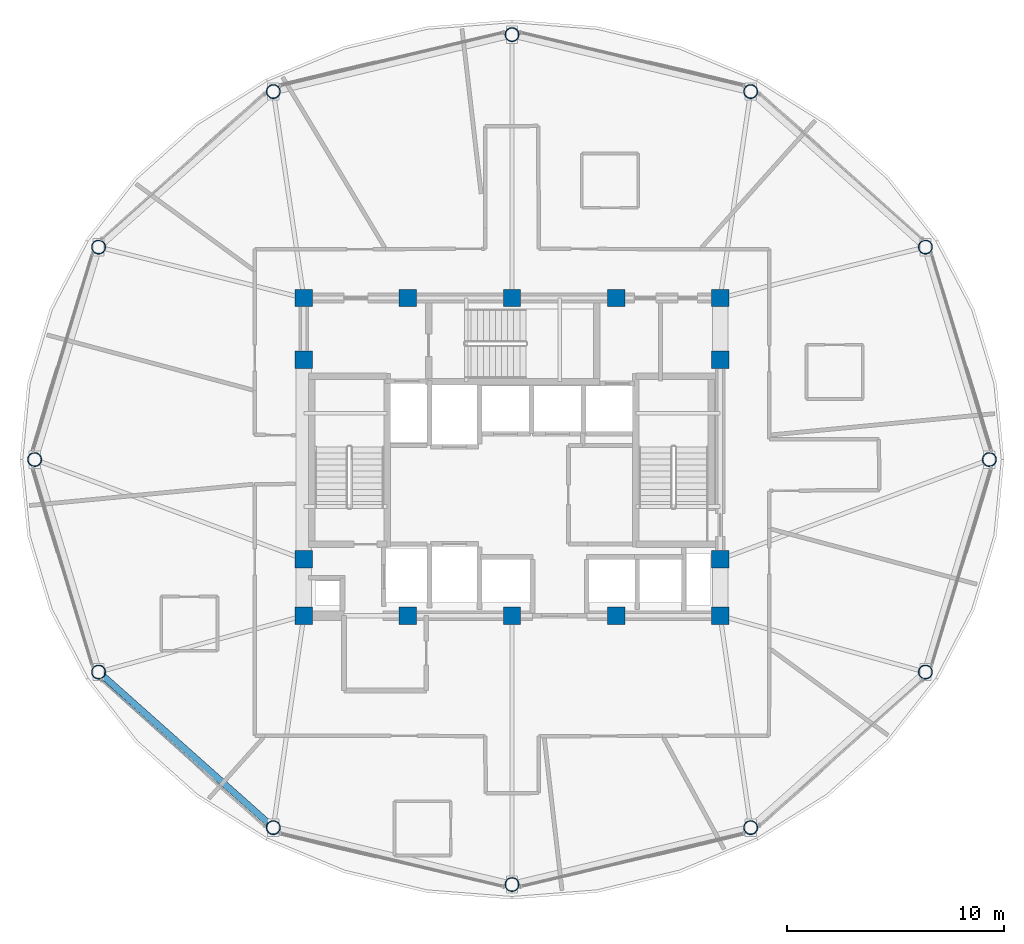
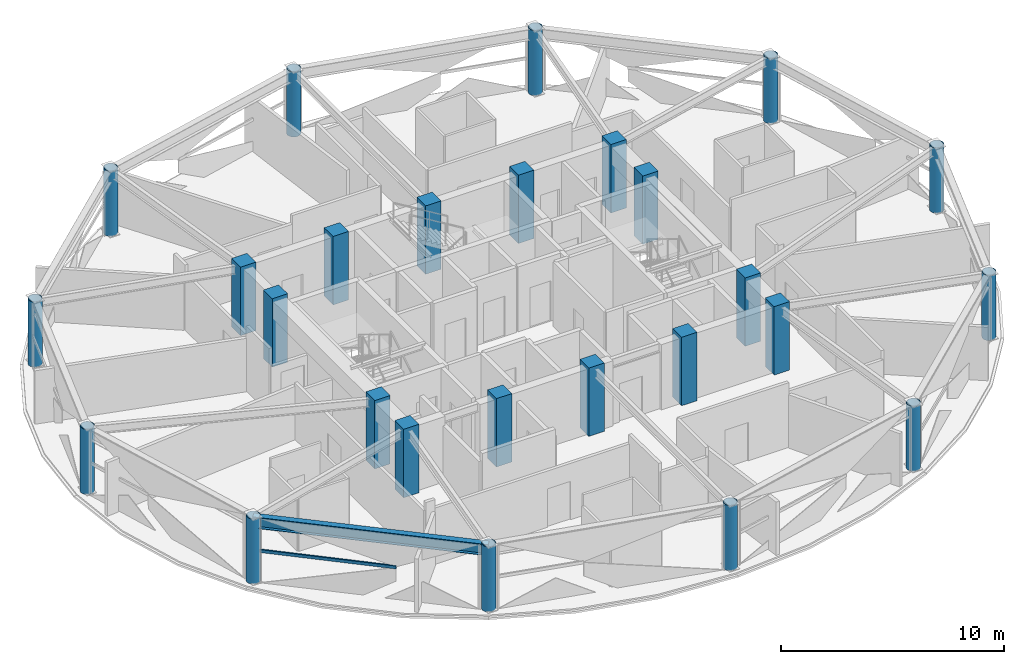
# One storey, part 1 of 28: 26 columns, 1 beam, 1 member, 1 element without a shape of its own.
"""IFC4 building model written with IfcOpenShell, lengths in metres."""

import ifcopenshell
import ifcopenshell.guid

model = None  # the IFC model being written
_history = None  # IfcOwnerHistory: only IFC2X3 demands one
_inside = {}  # id of a spatial element -> (the spatial element, [elements in it])
_under = {}  # id of a project, library or spatial element -> (it, [spatial elements below it])
_declared = {}  # id of a project -> (the project, [libraries it declares])
_typed = {}  # id of a type object -> (the type object, [elements of that type])
_made_of = {}  # id of a material, layer set ... -> (it, [elements and type objects made of it])


def new_model(schema):
    """Start an empty IFC model of exactly this schema.

    Asked for "IFC4X3", IfcOpenShell would pick the latest addendum, in which some entities
    have other attributes; the version numbers below select the first issue.
    IFC2X3 requires an IfcOwnerHistory on every rooted entity: one is made here for all.
    """
    global model, _history
    if schema == "IFC4X3":
        model = ifcopenshell.file(schema_version=(4, 3, 0, 0))
    else:
        model = ifcopenshell.file(schema=schema)
    _inside.clear()
    _under.clear()
    _declared.clear()
    _typed.clear()
    _made_of.clear()
    _history = None
    if model.schema == "IFC2X3":
        org = make("IfcOrganization", Name="unknown")
        user = make(
            "IfcPersonAndOrganization",
            ThePerson=make("IfcPerson", FamilyName="unknown"),
            TheOrganization=org,
        )
        app = make(
            "IfcApplication",
            ApplicationDeveloper=org,
            Version="unknown",
            ApplicationFullName="unknown",
            ApplicationIdentifier="unknown",
        )
        _history = make(
            "IfcOwnerHistory",
            OwningUser=user,
            OwningApplication=app,
            ChangeAction="ADDED",
            CreationDate=0,
        )
    return model


def make(cls, **values):
    """One entity of the class cls with the attributes given. An attribute that is None is left unset."""
    return model.create_entity(
        cls, **{name: value for name, value in values.items() if value is not None}
    )


def rooted(cls, **values):
    """An entity with a GlobalId (a new one), such as an element, a storey or a relation."""
    return make(cls, GlobalId=ifcopenshell.guid.new(), OwnerHistory=_history, **values)


def si_unit(unit_type, name, prefix=None):
    """IfcSIUnit, for example si_unit("LENGTHUNIT", "METRE", prefix="MILLI")."""
    return make("IfcSIUnit", UnitType=unit_type, Prefix=prefix, Name=name)


def assignment(units):
    """IfcUnitAssignment: the units of a project."""
    return None if units is None else make("IfcUnitAssignment", Units=units)


def point(xyz):
    """IfcCartesianPoint."""
    return None if xyz is None else make("IfcCartesianPoint", Coordinates=xyz)


def direction(xyz):
    """IfcDirection."""
    return None if xyz is None else make("IfcDirection", DirectionRatios=xyz)


def frame(location, z_axis=None, x_axis=None):
    """IfcAxis2Placement3D, a coordinate frame: its origin and axes. An axis left out is left unset."""
    return make(
        "IfcAxis2Placement3D",
        Location=point(location),
        Axis=direction(z_axis),
        RefDirection=direction(x_axis),
    )


def frame_2d(location, x_axis=None):
    """IfcAxis2Placement2D, a coordinate frame in the plane: its origin and x axis."""
    return make(
        "IfcAxis2Placement2D", Location=point(location), RefDirection=direction(x_axis)
    )


def origin():
    """The frame at (0, 0, 0) with its axes left unset."""
    return frame((0.0, 0.0, 0.0))


def origin_2d():
    """The frame at (0, 0) in the plane with its x axis left unset."""
    return frame_2d((0.0, 0.0))


def place(relative_to, where):
    """IfcLocalPlacement: puts the frame where relative to a parent placement (None: the world)."""
    return make(
        "IfcLocalPlacement", PlacementRelTo=relative_to, RelativePlacement=where
    )


def context(
    kind, dimensions, precision=None, world=None, true_north=None, identifier=None
):
    """IfcGeometricRepresentationContext, for example the 3D "Model" context."""
    return make(
        "IfcGeometricRepresentationContext",
        ContextIdentifier=identifier,
        ContextType=kind,
        CoordinateSpaceDimension=dimensions,
        Precision=precision,
        WorldCoordinateSystem=world,
        TrueNorth=true_north,
    )


def subcontext(parent, identifier, kind, view, scale=None):
    """IfcGeometricRepresentationSubContext, for example "Body" below "Model"."""
    return make(
        "IfcGeometricRepresentationSubContext",
        ContextIdentifier=identifier,
        ContextType=kind,
        ParentContext=parent,
        TargetScale=scale,
        TargetView=view,
    )


def project(units=None, contexts=None):
    """IfcProject with its units and contexts."""
    return rooted(
        "IfcProject",
        Name="project",
        RepresentationContexts=contexts,
        UnitsInContext=assignment(units),
    )


def spatial(cls, under=None, at=None, **own):
    """A site, building, storey or space (cls), placed at a placement, below another one or the project."""
    s = rooted(cls, ObjectPlacement=at, **own)
    if under is not None:
        _under.setdefault(under.id(), (under, []))[1].append(s)
    return s


def profile(cls, at=None, kind="AREA", **sizes):
    """A parametric profile (cls). Its sizes go by their IFC names, for example OverallWidth=200.0."""
    return make(cls, ProfileType=kind, Position=at, **sizes)


def rectangle(**sizes):
    """IfcRectangleProfileDef."""
    return profile("IfcRectangleProfileDef", **sizes)


def hollow_rectangle(**sizes):
    """IfcRectangleHollowProfileDef."""
    return profile("IfcRectangleHollowProfileDef", **sizes)


def hollow_circle(**sizes):
    """IfcCircleHollowProfileDef."""
    return profile("IfcCircleHollowProfileDef", **sizes)


def i_section(**sizes):
    """IfcIShapeProfileDef."""
    return profile("IfcIShapeProfileDef", **sizes)


def extrude(swept, where, along, depth):
    """IfcExtrudedAreaSolid: the profile swept, set in the frame where, extruded along a direction by depth."""
    return make(
        "IfcExtrudedAreaSolid",
        SweptArea=swept,
        Position=where,
        ExtrudedDirection=direction(along),
        Depth=depth,
    )


def shape(context_of_items, identifier, shape_type, items):
    """IfcShapeRepresentation: the items that make up one representation, for example the "Body"."""
    return make(
        "IfcShapeRepresentation",
        ContextOfItems=context_of_items,
        RepresentationIdentifier=identifier,
        RepresentationType=shape_type,
        Items=items,
    )


def material(Name=None, Category=None):
    """IfcMaterial."""
    return make("IfcMaterial", Name=Name, Category=Category)


def layer(
    of_material, thickness, ventilated=None, Name=None, Category=None, Priority=None
):
    """IfcMaterialLayer: one layer of a wall or slab, of a material (None: an air gap)."""
    return make(
        "IfcMaterialLayer",
        Material=of_material,
        LayerThickness=thickness,
        IsVentilated=ventilated,
        Name=Name,
        Category=Category,
        Priority=Priority,
    )


def layer_set(layers, Name=None):
    """IfcMaterialLayerSet."""
    return make("IfcMaterialLayerSet", MaterialLayers=layers, LayerSetName=Name)


def material_profile(
    of_material, cross_section, Name=None, Category=None, Priority=None
):
    """IfcMaterialProfile: a cross section and its material."""
    return make(
        "IfcMaterialProfile",
        Name=Name,
        Material=of_material,
        Profile=cross_section,
        Priority=Priority,
        Category=Category,
    )


def profile_set(profiles, Name=None, composite=None):
    """IfcMaterialProfileSet."""
    return make(
        "IfcMaterialProfileSet",
        Name=Name,
        MaterialProfiles=profiles,
        CompositeProfile=composite,
    )


def made_of(thing, what):
    """Note that an element or type object is made of a material, layer set ...; save() writes the relation."""
    if what is not None:
        _made_of.setdefault(what.id(), (what, []))[1].append(thing)
    return thing


def type_object(cls, material=None, **own):
    """A type object (cls), such as IfcWallType, which elements share."""
    return made_of(rooted(cls, **own), material)


def element(
    cls,
    number,
    at=None,
    inside=None,
    cuts=None,
    type_object=None,
    material=None,
    context=None,
    identifier="Body",
    shape_type=None,
    held_by="IfcProductDefinitionShape",
    body=None,
    shapes=None,
    **own,
):
    """One element of the class cls, such as IfcWall. Its Tag is "e" and its number.

    at: its placement. inside: the storey or other place that contains it. cuts: it is an
    opening in that element (IfcRelVoidsElement). A single representation is given by context,
    identifier, shape_type and body (its items); several are given by shapes. held_by: the class
    of the entity that holds the representations. save() writes the other relations.
    """
    e = rooted(cls, Tag="e%d" % number, ObjectPlacement=at, **own)
    if body is not None:
        shapes = [shape(context, identifier, shape_type, body)]
    if shapes is not None:
        e.Representation = make(held_by, Representations=shapes)
    if inside is not None:
        _inside.setdefault(inside.id(), (inside, []))[1].append(e)
    if cuts is not None:
        rooted(
            "IfcRelVoidsElement", RelatingBuildingElement=cuts, RelatedOpeningElement=e
        )
    if type_object is not None:
        _typed.setdefault(type_object.id(), (type_object, []))[1].append(e)
    return made_of(e, material)


def aggregate(whole, parts):
    """IfcRelAggregates: a whole, such as a stair, and the parts it consists of."""
    return rooted("IfcRelAggregates", RelatingObject=whole, RelatedObjects=parts)


def save(model, path):
    """Write the relations noted so far, then the file.

    IfcRelAggregates (storeys below a building ...), IfcRelContainedInSpatialStructure (elements
    in a storey), IfcRelDefinesByType, IfcRelAssociatesMaterial and IfcRelDeclares: one each for
    every whole, place, type object, material and project.
    """
    for whole, parts in _under.values():
        aggregate(whole, parts)
    for where, things in _inside.values():
        rooted(
            "IfcRelContainedInSpatialStructure",
            RelatedElements=things,
            RelatingStructure=where,
        )
    for kind, things in _typed.values():
        rooted("IfcRelDefinesByType", RelatedObjects=things, RelatingType=kind)
    for what, things in _made_of.values():
        rooted("IfcRelAssociatesMaterial", RelatedObjects=things, RelatingMaterial=what)
    for by, libraries in _declared.values():
        rooted("IfcRelDeclares", RelatingContext=by, RelatedDefinitions=libraries)
    model.write(path)


model = new_model("IFC4")

# Units and contexts
model_context = context("Model", 3, precision=1e-05, world=origin(), true_north=direction((0.0, 1.0)))
body_context = subcontext(model_context, "Body", "Model", "MODEL_VIEW")
ifc_project = project(units=[si_unit("LENGTHUNIT", "METRE"), si_unit("AREAUNIT", "SQUARE_METRE"), si_unit("VOLUMEUNIT", "CUBIC_METRE"), si_unit("PLANEANGLEUNIT", "RADIAN"), si_unit("MASSUNIT", "GRAM", prefix="KILO")], contexts=[model_context])

# Site, building, storey
site_placement = place(None, origin())
site = spatial("IfcSite", under=ifc_project, at=site_placement, CompositionType="ELEMENT")
building_placement = place(site_placement, origin())
building = spatial("IfcBuilding", under=site, at=building_placement, Name="Vantalir Tower", CompositionType="ELEMENT")
storey_placement = place(building_placement, frame((0.0, 0.0, 223.64990234375)))
storey = spatial("IfcBuildingStorey", under=building, at=storey_placement, Name="L56", CompositionType="ELEMENT", Elevation=223.64990234375)

# Columns
ifc_material_1 = material(Name="Concrete C50/60", Category="concrete")
ifc_material_profile_1 = material_profile(ifc_material_1, rectangle(XDim=0.800048828125, YDim=0.800048828125, at=origin_2d()), Name="Concrete C50/60")
ifc_profile_set_1 = profile_set([ifc_material_profile_1], Name="Concrete C50/60")
column_type_1 = type_object("IfcColumnType", Name="COL-CC-800", PredefinedType="COLUMN", material=ifc_profile_set_1)
for number, where, z_axis, x_axis, name in (
    (1, (21.89990234375, 17.800048828125, 0.0), (0.0, 0.0, 1.0), (1.0, 0.0, 0.0), "L56 Core Column CC01"),
    (2, (26.699951171875, 17.800048828125, 0.0), (0.0, 0.0, 1.0), (1.0, 0.0, 0.0), "L56 Core Column CC02"),
    (3, (31.5, 17.800048828125, 0.0), (0.0, 0.0, 1.0), (1.0, 0.0, 0.0), "L56 Core Column CC03"),
    (4, (36.300048828125, 17.800048828125, 0.0), (0.0, 0.0, 1.0), (1.0, 0.0, 0.0), "L56 Core Column CC04"),
    (5, (41.10009765625, 17.800048828125, 0.0), (0.0, 0.0, 1.0), (1.0, 0.0, 0.0), "L56 Core Column CC05"),
    (6, (21.89990234375, 20.39990234375, 0.0), (0.0, 0.0, 1.0), (1.0, 0.0, 0.0), "L56 Core Column CC06"),
    (7, (21.89990234375, 29.60009765625, 0.0), (0.0, 0.0, 1.0), (1.0, 0.0, 0.0), "L56 Core Column CC07"),
    (8, (41.10009765625, 20.39990234375, 0.0), (0.0, 0.0, 1.0), (1.0, 0.0, 0.0), "L56 Core Column CC08"),
    (9, (41.10009765625, 29.60009765625, 0.0), (0.0, 0.0, 1.0), (1.0, 0.0, 0.0), "L56 Core Column CC09"),
    (10, (21.89990234375, 32.449951171875, 0.0), (0.0, 0.0, 1.0), (1.0, 0.0, 0.0), "L56 Core Column CC10"),
    (11, (26.699951171875, 32.449951171875, 0.0), (0.0, 0.0, 1.0), (1.0, 0.0, 0.0), "L56 Core Column CC11"),
    (12, (31.5, 32.449951171875, 0.0), (0.0, 0.0, 1.0), (1.0, 0.0, 0.0), "L56 Core Column CC12"),
    (13, (36.300048828125, 32.449951171875, 0.0), (0.0, 0.0, 1.0), (1.0, 0.0, 0.0), "L56 Core Column CC13"),
    (14, (41.10009765625, 32.449951171875, 0.0), (0.0, 0.0, 1.0), (1.0, 0.0, 0.0), "L56 Core Column CC14"),
):
    element("IfcColumn", number, at=place(storey_placement, frame(where, z_axis=z_axis, x_axis=x_axis)), inside=storey, type_object=column_type_1, Name=name, PredefinedType="COLUMN", context=body_context, shape_type="SweptSolid", body=[
        extrude(rectangle(XDim=0.800048828125, YDim=0.800048828125, at=origin_2d()), origin(), (0.0, 0.0, 1.0), 3.75),
    ])
ifc_material_2 = material(Name="Steel S460", Category="steel")
ifc_material_profile_2 = material_profile(ifc_material_2, hollow_circle(Radius=0.324951171875, WallThickness=0.030029296875, at=origin_2d()), Name="Steel S460")
ifc_profile_set_2 = profile_set([ifc_material_profile_2], Name="Steel S460")
column_type_2 = type_object("IfcColumnType", Name="COL-RC-650", PredefinedType="COLUMN", material=ifc_profile_set_2)
for number, where, z_axis, x_axis, name in (
    (15, (53.512939453125, 25.0, 0.0), (0.0, 0.0, 1.0), (1.0, 0.0, 0.0), "L56 Perimeter Ring Column RC01"),
    (16, (50.56396484375, 34.798095703125, 0.0), (0.0, 0.0, 1.0), (1.0, 0.0, 0.0), "L56 Perimeter Ring Column RC02"),
    (17, (42.506103515625, 41.970947265625, 0.0), (0.0, 0.0, 1.0), (1.0, 0.0, 0.0), "L56 Perimeter Ring Column RC03"),
    (18, (31.5, 44.595947265625, 0.0), (0.0, 0.0, 1.0), (1.0, 0.0, 0.0), "L56 Perimeter Ring Column RC04"),
    (19, (20.493896484375, 41.970947265625, 0.0), (0.0, 0.0, 1.0), (1.0, 0.0, 0.0), "L56 Perimeter Ring Column RC05"),
    (20, (12.43603515625, 34.798095703125, 0.0), (0.0, 0.0, 1.0), (1.0, 0.0, 0.0), "L56 Perimeter Ring Column RC06"),
    (21, (9.487060546875, 25.0, 0.0), (0.0, 0.0, 1.0), (1.0, 0.0, 0.0), "L56 Perimeter Ring Column RC07"),
    (22, (12.43603515625, 15.201904296875, 0.0), (0.0, 0.0, 1.0), (1.0, 0.0, 0.0), "L56 Perimeter Ring Column RC08"),
    (23, (20.492919921875, 8.029052734375, 0.0), (0.0, 0.0, 1.0), (1.0, 0.0, 0.0), "L56 Perimeter Ring Column RC09"),
    (24, (31.5, 5.404052734375, 0.0), (0.0, 0.0, 1.0), (1.0, 0.0, 0.0), "L56 Perimeter Ring Column RC10"),
    (25, (42.506103515625, 8.029052734375, 0.0), (0.0, 0.0, 1.0), (1.0, 0.0, 0.0), "L56 Perimeter Ring Column RC11"),
    (26, (50.56396484375, 15.201904296875, 0.0), (0.0, 0.0, 1.0), (1.0, 0.0, 0.0), "L56 Perimeter Ring Column RC12"),
):
    element("IfcColumn", number, at=place(storey_placement, frame(where, z_axis=z_axis, x_axis=x_axis)), inside=storey, type_object=column_type_2, Name=name, PredefinedType="COLUMN", context=body_context, shape_type="SweptSolid", body=[
        extrude(hollow_circle(Radius=0.324951171875, WallThickness=0.030029296875, at=origin_2d()), origin(), (0.0, 0.0, 1.0), 3.570068359375),
    ])

# Beam
ifc_material_profile_3 = material_profile(ifc_material_2, i_section(OverallWidth=0.306884765625, OverallDepth=0.6201171875, WebThickness=0.01416015625, FlangeThickness=0.023681640625, at=origin_2d()), Name="Steel S460")
ifc_profile_set_3 = profile_set([ifc_material_profile_3], Name="Steel S460")
beam_type = type_object("IfcBeamType", Name="BM-RG-610x305", PredefinedType="USERDEFINED", material=ifc_profile_set_3)
beam_placement = place(storey_placement, frame((12.43603515625, 15.201904296875, 3.260009765625), z_axis=(0.7468946348, -0.66494240691, 0.0), x_axis=(0.66494240691, 0.7468946348, 0.0)))
element("IfcBeam", 27, at=beam_placement, inside=storey, type_object=beam_type, Name="L56 Circumferential Ring Girder 08", ObjectType="GIRDER", PredefinedType="USERDEFINED", context=body_context, shape_type="SweptSolid", body=[
    extrude(i_section(OverallWidth=0.306884765625, OverallDepth=0.6201171875, WebThickness=0.01416015625, FlangeThickness=0.023681640625, at=origin_2d()), origin(), (0.0, 0.0, 1.0), 10.787109375),
])

# Curtain wall, member
ifc_material_3 = material(Name="Champagne-silver PVDF aluminium and double-silver Low-E glass", Category="aluminium")
ifc_layer = layer(ifc_material_3, 0.2099609375)
ifc_layer_set = layer_set([ifc_layer], Name="Champagne-silver PVDF aluminium and double-silver Low-E glass")
curtain_wall_type = type_object("IfcCurtainWallType", Name="CW-DIAMOND-Z3", PredefinedType="USERDEFINED", material=ifc_layer_set)
curtain_wall_placement = place(storey_placement, origin())
curtain_wall = element("IfcCurtainWall", 28, at=curtain_wall_placement, inside=storey, type_object=curtain_wall_type, Name="L56 Quilted Pyramid-Diamond Curtain Wall S08", ObjectType="UNITISED CURTAIN WALL", PredefinedType="USERDEFINED")
ifc_material_4 = material(Name="Champagne-silver PVDF aluminium 6063-T6", Category="aluminium")
ifc_material_profile_4 = material_profile(ifc_material_4, hollow_rectangle(XDim=0.074951171875, YDim=0.159912109375, WallThickness=0.00390625, at=origin_2d()), Name="Champagne-silver PVDF aluminium 6063-T6")
ifc_profile_set_4 = profile_set([ifc_material_profile_4], Name="Champagne-silver PVDF aluminium 6063-T6")
member_type = type_object("IfcMemberType", Name="CWT-160x75", PredefinedType="USERDEFINED", material=ifc_profile_set_4)
member_placement = place(storey_placement, frame((12.577880859375, 14.833984375, 1.78515625), z_axis=(0.744005836406, -0.668173117832, 0.0), x_axis=(0.668173117832, 0.744005836406, 0.0)))
member = element("IfcMember", 29, at=member_placement, type_object=member_type, Name="CW-L56-S08 Pyramid Fold Ridge Transom", ObjectType="TRANSOM", PredefinedType="USERDEFINED", context=body_context, shape_type="SweptSolid", body=[
    extrude(hollow_rectangle(XDim=0.074951171875, YDim=0.159912109375, WallThickness=0.00390625, at=origin_2d()), origin(), (0.0, 0.0, 1.0), 6.2392578125),
])
aggregate(curtain_wall, [member])

save(model, "model.ifc")
